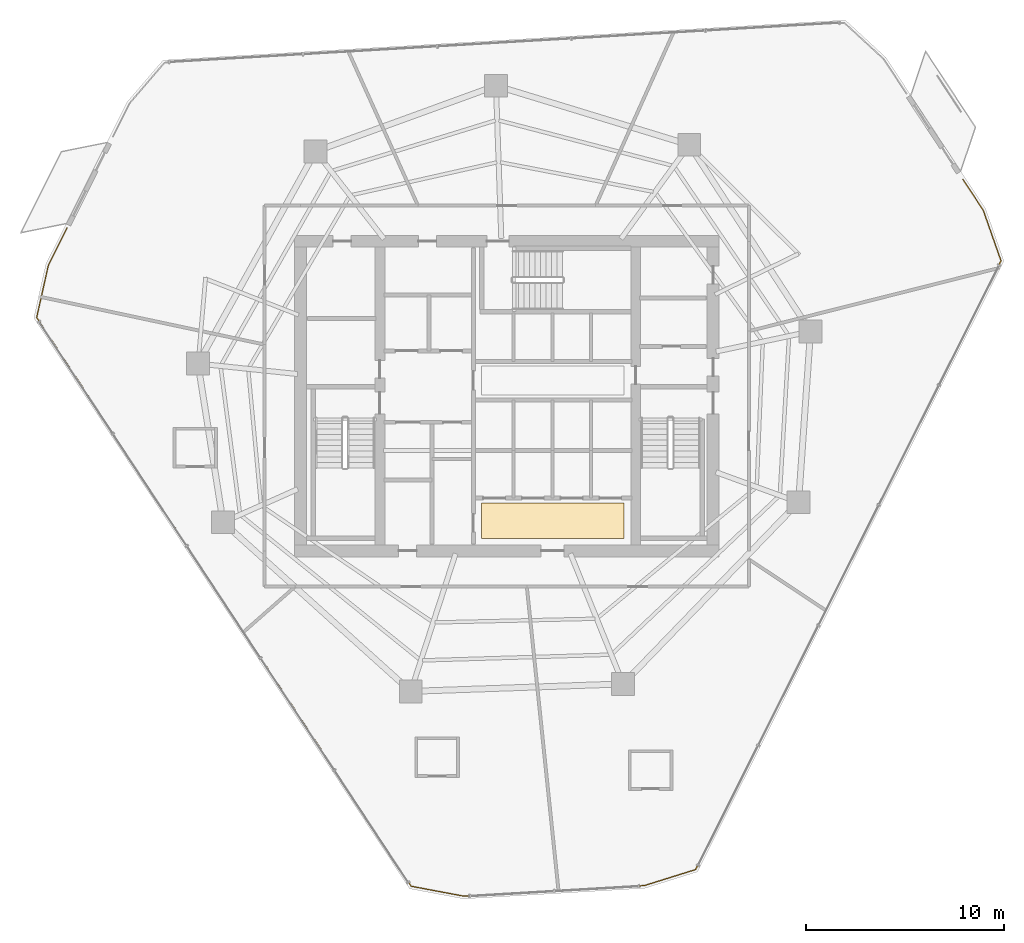
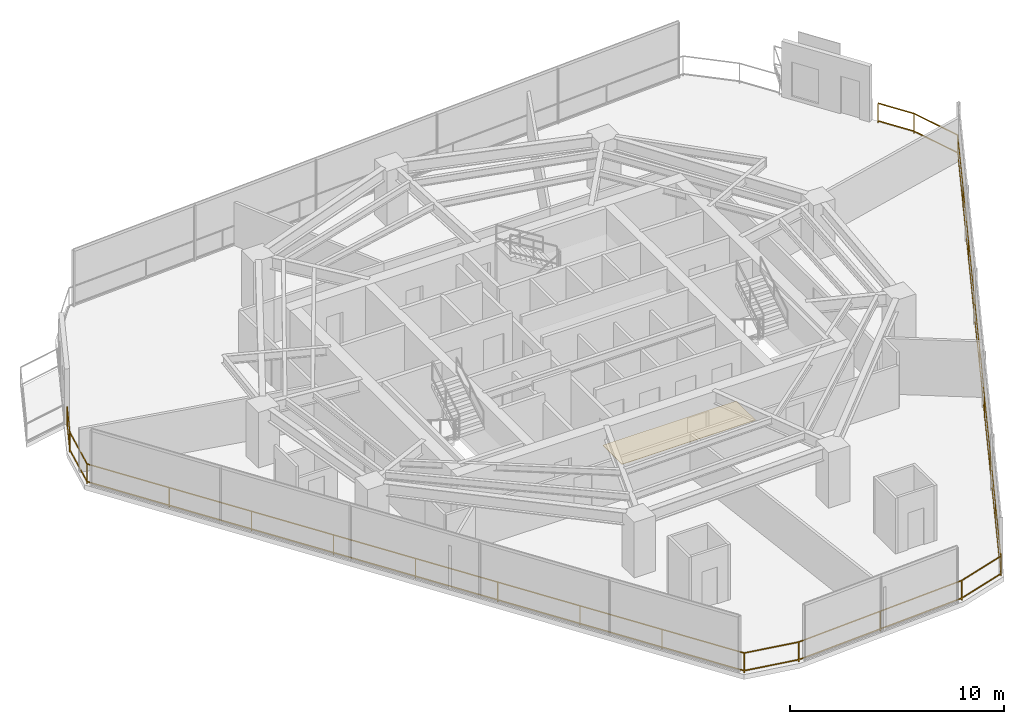
# One storey, part 29 of 30: 1 covering, 1 railing.
"""IFC4 building model written with IfcOpenShell, lengths in metres."""

from ifc_helpers import new_model, si_unit, direction, frame, origin, origin_2d, place, context, subcontext, project, spatial, rectangle, extrude, material, layer, layer_set, type_object, element, save


model = new_model("IFC4")

# Units and contexts
model_context = context("Model", 3, precision=1e-05, world=origin(), true_north=direction((0.0, 1.0)))
body_context = subcontext(model_context, "Body", "Model", "MODEL_VIEW")
ifc_project = project(units=[si_unit("LENGTHUNIT", "METRE"), si_unit("AREAUNIT", "SQUARE_METRE"), si_unit("VOLUMEUNIT", "CUBIC_METRE"), si_unit("PLANEANGLEUNIT", "RADIAN"), si_unit("MASSUNIT", "GRAM", prefix="KILO")], contexts=[model_context])

# Site, building, storey
site_placement = place(None, origin())
site = spatial("IfcSite", under=ifc_project, at=site_placement, CompositionType="ELEMENT")
building_placement = place(site_placement, origin())
building = spatial("IfcBuilding", under=site, at=building_placement, Name="Qarnah Convention Tower", CompositionType="ELEMENT")
storey_placement = place(building_placement, frame((0.0, 0.0, 79.800048828125)))
storey = spatial("IfcBuildingStorey", under=building, at=storey_placement, Name="L20", CompositionType="ELEMENT", Elevation=79.800048828125)

# Covering
ifc_material_1 = material(Name="Porcelain stone floor tile", Category="masonry")
ifc_layer = layer(ifc_material_1, 0.02001953125)
ifc_layer_set = layer_set([ifc_layer], Name="Porcelain stone floor tile")
covering_type = type_object("IfcCoveringType", Name="COV-FLOOR-20", PredefinedType="FLOORING", material=ifc_layer_set)
covering_placement = place(storey_placement, frame((39.52001953125, 20.1201171875, 0.0), z_axis=(0.0, 0.0, 1.0), x_axis=(1.0, 0.0, 0.0)))
element("IfcCovering", 1, at=covering_placement, inside=storey, type_object=covering_type, Name="L20 lift lobby porcelain stone flooring", PredefinedType="FLOORING", context=body_context, shape_type="SweptSolid", body=[
    extrude(rectangle(XDim=7.199951171875, YDim=1.800048828125, at=origin_2d()), origin(), (0.0, 0.0, 1.0), 0.02001953125),
])

# Railing
ifc_material_2 = material(Name="Black anodised aluminium", Category="aluminium")
railing_type = type_object("IfcRailingType", Name="RL-EXT-GUARD-1150", PredefinedType="GUARDRAIL", material=ifc_material_2)
railing_placement = place(storey_placement, frame((60.18310546875, 37.330078125, 0.0)))
element("IfcRailing", 2, at=railing_placement, inside=storey, type_object=railing_type, Name="L20 slab-edge perimeter safety guard 02", PredefinedType="GUARDRAIL", context=body_context, shape_type="SweptSolid", body=[
    extrude(rectangle(XDim=0.048095703125, YDim=0.048095703125, at=origin_2d()), frame((0.0, 0.0, 1.1259765625), z_axis=(0.549937334939, -0.835205919304, 0.0), x_axis=(0.835205919304, 0.549937334939, 0.0)), (0.0, 0.0, 1.0), 1.87255859375),
    extrude(rectangle(XDim=0.048095703125, YDim=0.048095703125, at=origin_2d()), frame((0.0, 0.0, 0.1201171875), z_axis=(0.549937334939, -0.835205919304, 0.0), x_axis=(0.835205919304, 0.549937334939, 0.0)), (0.0, 0.0, 1.0), 1.87255859375),
    extrude(rectangle(XDim=0.048095703125, YDim=0.048095703125, at=origin_2d()), frame((1.02978515625, -1.56396484375, 1.1259765625), z_axis=(0.331401178884, -0.943489935629, 0.0), x_axis=(0.943489935629, 0.331401178884, 0.0)), (0.0, 0.0, 1.0), 2.70068359375),
    extrude(rectangle(XDim=0.048095703125, YDim=0.048095703125, at=origin_2d()), frame((1.02978515625, -1.56396484375, 0.1201171875), z_axis=(0.331401178884, -0.943489935629, 0.0), x_axis=(0.943489935629, 0.331401178884, 0.0)), (0.0, 0.0, 1.0), 2.70068359375),
    extrude(rectangle(XDim=0.048095703125, YDim=0.048095703125, at=origin_2d()), frame((1.9248046875, -4.112060546875, 1.1259765625), z_axis=(-0.448373891796, -0.893846101494, 0.0), x_axis=(0.893846101494, -0.448373891796, 0.0)), (0.0, 0.0, 1.0), 34.328125),
    extrude(rectangle(XDim=0.048095703125, YDim=0.048095703125, at=origin_2d()), frame((1.9248046875, -4.112060546875, 0.1201171875), z_axis=(-0.448373891796, -0.893846101494, 0.0), x_axis=(0.893846101494, -0.448373891796, 0.0)), (0.0, 0.0, 1.0), 34.328125),
    extrude(rectangle(XDim=0.048095703125, YDim=0.048095703125, at=origin_2d()), frame((-13.467041015625, -34.796142578125, 1.1259765625), z_axis=(-0.954454242405, -0.298357334676, 0.0), x_axis=(0.298357334676, -0.954454242405, 0.0)), (0.0, 0.0, 1.0), 2.701171875),
    extrude(rectangle(XDim=0.048095703125, YDim=0.048095703125, at=origin_2d()), frame((-13.467041015625, -34.796142578125, 0.1201171875), z_axis=(-0.954454242405, -0.298357334676, 0.0), x_axis=(0.298357334676, -0.954454242405, 0.0)), (0.0, 0.0, 1.0), 2.701171875),
    extrude(rectangle(XDim=0.048095703125, YDim=0.048095703125, at=origin_2d()), frame((-16.045166015625, -35.60205078125, 1.1259765625), z_axis=(-0.998283043654, -0.058574437702, 0.0), x_axis=(0.058574437702, -0.998283043654, 0.0)), (0.0, 0.0, 1.0), 9.115478515625),
    extrude(rectangle(XDim=0.048095703125, YDim=0.048095703125, at=origin_2d()), frame((-16.045166015625, -35.60205078125, 0.1201171875), z_axis=(-0.998283043654, -0.058574437702, 0.0), x_axis=(0.058574437702, -0.998283043654, 0.0)), (0.0, 0.0, 1.0), 9.115478515625),
    extrude(rectangle(XDim=0.048095703125, YDim=0.048095703125, at=origin_2d()), frame((-25.14501953125, -36.135986328125, 1.1259765625), z_axis=(-0.982791269498, 0.18471957286, 0.0), x_axis=(-0.18471957286, -0.982791269498, 0.0)), (0.0, 0.0, 1.0), 2.701416015625),
    extrude(rectangle(XDim=0.048095703125, YDim=0.048095703125, at=origin_2d()), frame((-25.14501953125, -36.135986328125, 0.1201171875), z_axis=(-0.982791269498, 0.18471957286, 0.0), x_axis=(-0.18471957286, -0.982791269498, 0.0)), (0.0, 0.0, 1.0), 2.701416015625),
    extrude(rectangle(XDim=0.048095703125, YDim=0.048095703125, at=origin_2d()), frame((-27.800048828125, -35.636962890625, 1.1259765625), z_axis=(-0.549891832097, 0.835235878655, 0.0), x_axis=(-0.835235878655, -0.549891832097, 0.0)), (0.0, 0.0, 1.0), 34.32666015625),
    extrude(rectangle(XDim=0.048095703125, YDim=0.048095703125, at=origin_2d()), frame((-27.800048828125, -35.636962890625, 0.1201171875), z_axis=(-0.549891832097, 0.835235878655, 0.0), x_axis=(-0.835235878655, -0.549891832097, 0.0)), (0.0, 0.0, 1.0), 34.32666015625),
    extrude(rectangle(XDim=0.048095703125, YDim=0.048095703125, at=origin_2d()), frame((-46.676025390625, -6.966064453125, 1.1259765625), z_axis=(0.218632849379, 0.975807192622, 0.0), x_axis=(-0.975807192622, 0.218632849379, 0.0)), (0.0, 0.0, 1.0), 2.702392578125),
    extrude(rectangle(XDim=0.048095703125, YDim=0.048095703125, at=origin_2d()), frame((-46.676025390625, -6.966064453125, 0.1201171875), z_axis=(0.218632849379, 0.975807192622, 0.0), x_axis=(-0.975807192622, 0.218632849379, 0.0)), (0.0, 0.0, 1.0), 2.702392578125),
    extrude(rectangle(XDim=0.048095703125, YDim=0.048095703125, at=origin_2d()), frame((-46.085205078125, -4.3291015625, 1.1259765625), z_axis=(0.448385153988, 0.893840452029, 0.0), x_axis=(-0.893840452029, 0.448385153988, 0.0)), (0.0, 0.0, 1.0), 2.083251953125),
    extrude(rectangle(XDim=0.048095703125, YDim=0.048095703125, at=origin_2d()), frame((-46.085205078125, -4.3291015625, 0.1201171875), z_axis=(0.448385153988, 0.893840452029, 0.0), x_axis=(-0.893840452029, 0.448385153988, 0.0)), (0.0, 0.0, 1.0), 2.083251953125),
    extrude(rectangle(XDim=0.0419921875, YDim=0.0419921875, at=origin_2d()), origin(), (0.0, 0.0, 1.0), 1.101806640625),
    extrude(rectangle(XDim=0.0419921875, YDim=0.0419921875, at=origin_2d()), frame((1.02978515625, -1.56396484375, 0.0)), (0.0, 0.0, 1.0), 1.101806640625),
    extrude(rectangle(XDim=0.0419921875, YDim=0.0419921875, at=origin_2d()), frame((1.9248046875, -4.112060546875, 0.0)), (0.0, 0.0, 1.0), 1.101806640625),
    extrude(rectangle(XDim=0.0419921875, YDim=0.0419921875, at=origin_2d()), frame((0.000732421875, -7.947509765625, 0.0)), (0.0, 0.0, 1.0), 1.101806640625),
    extrude(rectangle(XDim=0.0419921875, YDim=0.0419921875, at=origin_2d()), frame((-1.923095703125, -11.783203125, 0.0)), (0.0, 0.0, 1.0), 1.101806640625),
    extrude(rectangle(XDim=0.0419921875, YDim=0.0419921875, at=origin_2d()), frame((-3.84716796875, -15.61865234375, 0.0)), (0.0, 0.0, 1.0), 1.101806640625),
    extrude(rectangle(XDim=0.0419921875, YDim=0.0419921875, at=origin_2d()), frame((-5.77099609375, -19.4541015625, 0.0)), (0.0, 0.0, 1.0), 1.101806640625),
    extrude(rectangle(XDim=0.0419921875, YDim=0.0419921875, at=origin_2d()), frame((-7.695068359375, -23.28955078125, 0.0)), (0.0, 0.0, 1.0), 1.101806640625),
    extrude(rectangle(XDim=0.0419921875, YDim=0.0419921875, at=origin_2d()), frame((-9.619140625, -27.125, 0.0)), (0.0, 0.0, 1.0), 1.101806640625),
    extrude(rectangle(XDim=0.0419921875, YDim=0.0419921875, at=origin_2d()), frame((-11.54296875, -30.960693359375, 0.0)), (0.0, 0.0, 1.0), 1.101806640625),
    extrude(rectangle(XDim=0.0419921875, YDim=0.0419921875, at=origin_2d()), frame((-13.467041015625, -34.796142578125, 0.0)), (0.0, 0.0, 1.0), 1.101806640625),
    extrude(rectangle(XDim=0.0419921875, YDim=0.0419921875, at=origin_2d()), frame((-16.045166015625, -35.60205078125, 0.0)), (0.0, 0.0, 1.0), 1.101806640625),
    extrude(rectangle(XDim=0.0419921875, YDim=0.0419921875, at=origin_2d()), frame((-20.59521484375, -35.869140625, 0.0)), (0.0, 0.0, 1.0), 1.101806640625),
    extrude(rectangle(XDim=0.0419921875, YDim=0.0419921875, at=origin_2d()), frame((-25.14501953125, -36.135986328125, 0.0)), (0.0, 0.0, 1.0), 1.101806640625),
    extrude(rectangle(XDim=0.0419921875, YDim=0.0419921875, at=origin_2d()), frame((-27.800048828125, -35.636962890625, 0.0)), (0.0, 0.0, 1.0), 1.101806640625),
    extrude(rectangle(XDim=0.0419921875, YDim=0.0419921875, at=origin_2d()), frame((-30.15966796875, -32.05322265625, 0.0)), (0.0, 0.0, 1.0), 1.101806640625),
    extrude(rectangle(XDim=0.0419921875, YDim=0.0419921875, at=origin_2d()), frame((-32.51904296875, -28.46923828125, 0.0)), (0.0, 0.0, 1.0), 1.101806640625),
    extrude(rectangle(XDim=0.0419921875, YDim=0.0419921875, at=origin_2d()), frame((-34.87841796875, -24.88525390625, 0.0)), (0.0, 0.0, 1.0), 1.101806640625),
    extrude(rectangle(XDim=0.0419921875, YDim=0.0419921875, at=origin_2d()), frame((-37.238037109375, -21.301513671875, 0.0)), (0.0, 0.0, 1.0), 1.101806640625),
    extrude(rectangle(XDim=0.0419921875, YDim=0.0419921875, at=origin_2d()), frame((-39.59765625, -17.7177734375, 0.0)), (0.0, 0.0, 1.0), 1.101806640625),
    extrude(rectangle(XDim=0.0419921875, YDim=0.0419921875, at=origin_2d()), frame((-41.95703125, -14.1337890625, 0.0)), (0.0, 0.0, 1.0), 1.101806640625),
    extrude(rectangle(XDim=0.0419921875, YDim=0.0419921875, at=origin_2d()), frame((-44.31640625, -10.5498046875, 0.0)), (0.0, 0.0, 1.0), 1.101806640625),
    extrude(rectangle(XDim=0.0419921875, YDim=0.0419921875, at=origin_2d()), frame((-46.676025390625, -6.966064453125, 0.0)), (0.0, 0.0, 1.0), 1.101806640625),
    extrude(rectangle(XDim=0.0419921875, YDim=0.0419921875, at=origin_2d()), frame((-46.085205078125, -4.3291015625, 0.0)), (0.0, 0.0, 1.0), 1.101806640625),
    extrude(rectangle(XDim=0.0419921875, YDim=0.0419921875, at=origin_2d()), frame((-45.151123046875, -2.467041015625, 0.0)), (0.0, 0.0, 1.0), 1.101806640625),
])

save(model, "model.ifc")
